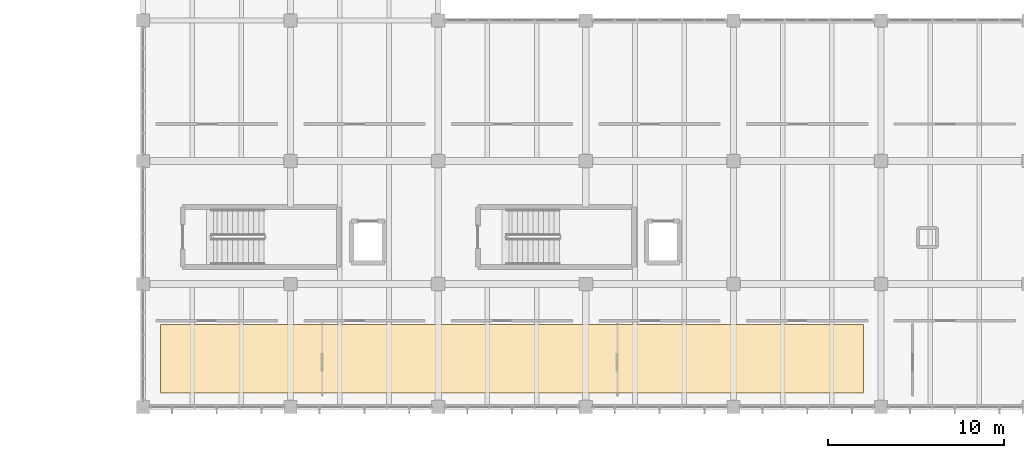
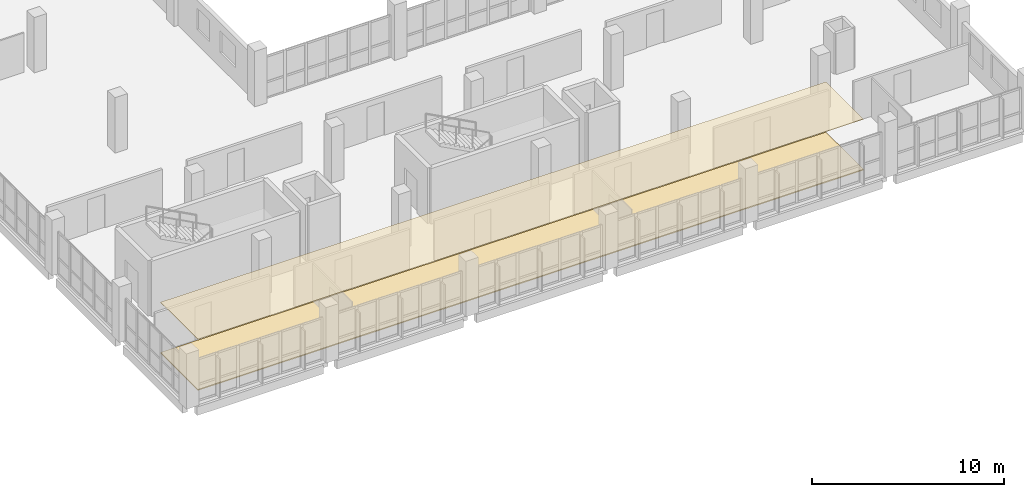
# One storey, part 87 of 95: 2 coverings.
"""IFC4 building model written with IfcOpenShell, lengths in metres."""

from ifc_helpers import new_model, si_unit, direction, frame, origin, place, context, subcontext, project, spatial, polyline, outline, extrude, material, layer, layer_set, type_object, element, save


model = new_model("IFC4")

# Units and contexts
model_context = context("Model", 3, precision=1e-05, world=origin(), true_north=direction((0.0, 1.0)))
body_context = subcontext(model_context, "Body", "Model", "MODEL_VIEW")
ifc_project = project(units=[si_unit("LENGTHUNIT", "METRE"), si_unit("AREAUNIT", "SQUARE_METRE"), si_unit("VOLUMEUNIT", "CUBIC_METRE"), si_unit("PLANEANGLEUNIT", "RADIAN"), si_unit("MASSUNIT", "GRAM", prefix="KILO"), si_unit("THERMODYNAMICTEMPERATUREUNIT", "KELVIN"), si_unit("POWERUNIT", "WATT")], contexts=[model_context])

# Site, building, storey
site_placement = place(None, origin())
site = spatial("IfcSite", under=ifc_project, at=site_placement, CompositionType="ELEMENT")
building_placement = place(site_placement, origin())
building = spatial("IfcBuilding", under=site, at=building_placement, Name="Mavoryth Pier Ferry Terminal", CompositionType="ELEMENT")
storey_placement = place(building_placement, frame((0.0, 0.0, 9.60009765625)))
storey = spatial("IfcBuildingStorey", under=building, at=storey_placement, Name="L02", CompositionType="ELEMENT", Elevation=9.60009765625)

# Coverings
ifc_material_1 = material(Name="Acoustic Mineral-Fibre Suspended Ceiling")
ifc_layer_1 = layer(ifc_material_1, 0.030029296875, Name="Acoustic Mineral-Fibre Suspended Ceiling")
ifc_layer_set_1 = layer_set([ifc_layer_1], Name="Acoustic Mineral-Fibre Suspended Ceiling - Ceil-MineralTile-30")
covering_type_1 = type_object("IfcCoveringType", Name="Ceil-MineralTile-30", PredefinedType="CEILING", material=ifc_layer_set_1)
covering_1_placement = place(storey_placement, frame((0.0, 0.0, 3.22998046875)))
element("IfcCovering", 1, at=covering_1_placement, inside=storey, type_object=covering_type_1, Name="Covering COV-L02-012", PredefinedType="CEILING", context=body_context, shape_type="SweptSolid", body=[
    extrude(outline(polyline([(43.0, 0.800048828125), (83.0, 0.800048828125), (83.0, 4.699951171875), (43.0, 4.699951171875), (43.0, 0.800048828125)])), origin(), (0.0, 0.0, 1.0), 0.030029296875),
])
ifc_material_2 = material(Name="Anti-Static Raised Control-Room Access Floor")
ifc_layer_2 = layer(ifc_material_2, 0.06494140625, Name="Anti-Static Raised Control-Room Access Floor")
ifc_layer_set_2 = layer_set([ifc_layer_2], Name="Anti-Static Raised Control-Room Access Floor - Floor-RaisedAccess-65")
covering_type_2 = type_object("IfcCoveringType", Name="Floor-RaisedAccess-65", PredefinedType="FLOORING", material=ifc_layer_set_2)
covering_2_placement = place(storey_placement, origin())
element("IfcCovering", 2, at=covering_2_placement, inside=storey, type_object=covering_type_2, Name="Covering COV-L02-011", PredefinedType="FLOORING", context=body_context, shape_type="SweptSolid", body=[
    extrude(outline(polyline([(43.0, 0.800048828125), (83.0, 0.800048828125), (83.0, 4.699951171875), (43.0, 4.699951171875), (43.0, 0.800048828125)])), origin(), (0.0, 0.0, 1.0), 0.06494140625),
])

save(model, "model.ifc")
